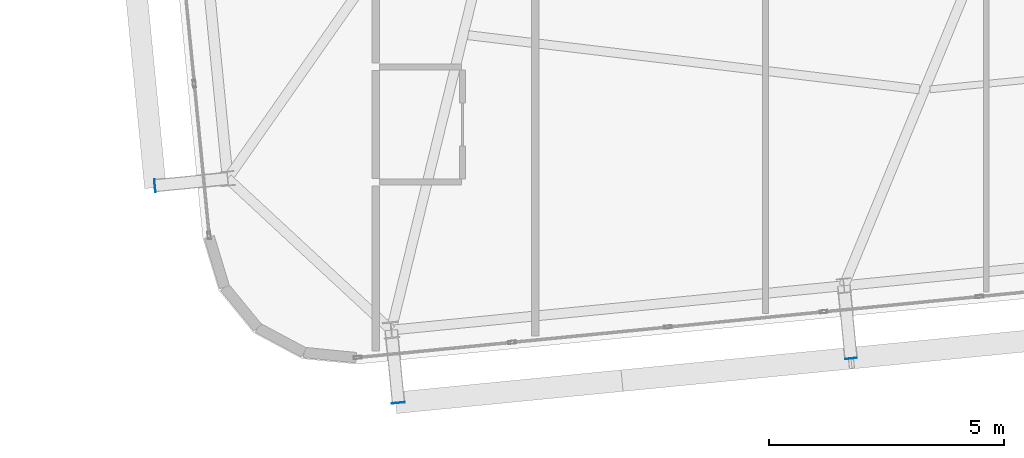
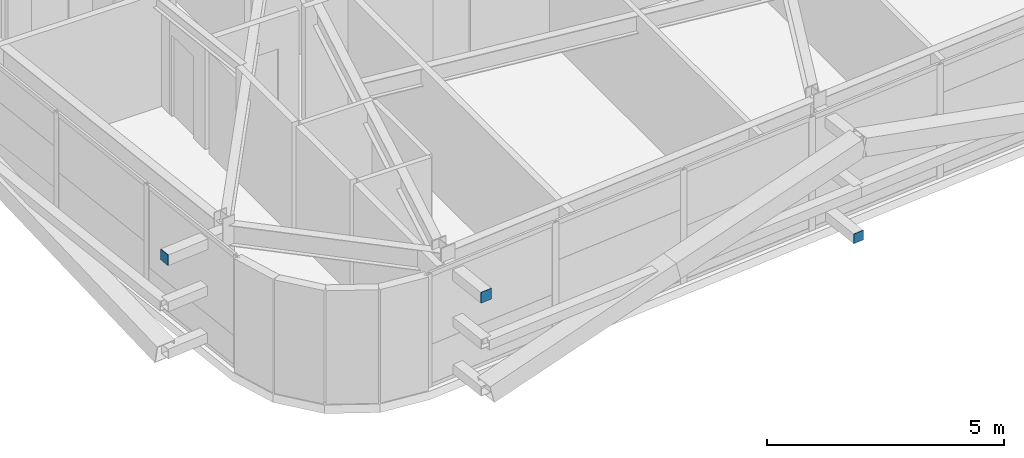
# One storey, part 38 of 53: 3 plates.
"""IFC4 building model written with IfcOpenShell, lengths in metres."""

from ifc_helpers import new_model, si_unit, direction, frame, origin, origin_2d, place, context, subcontext, project, spatial, rectangle, extrude, source, transform, mapped, material, layer, layer_set, type_object, element, save


model = new_model("IFC4")

# Units and contexts
model_context = context("Model", 3, precision=1e-05, world=origin(), true_north=direction((0.0, 1.0)))
body_context = subcontext(model_context, "Body", "Model", "MODEL_VIEW")
ifc_project = project(units=[si_unit("LENGTHUNIT", "METRE"), si_unit("AREAUNIT", "SQUARE_METRE"), si_unit("VOLUMEUNIT", "CUBIC_METRE"), si_unit("PLANEANGLEUNIT", "RADIAN"), si_unit("MASSUNIT", "GRAM", prefix="KILO")], contexts=[model_context])

# Site, building, storey
site_placement = place(None, origin())
site = spatial("IfcSite", under=ifc_project, at=site_placement, CompositionType="ELEMENT")
building_placement = place(site_placement, origin())
building = spatial("IfcBuilding", under=site, at=building_placement, Name="Taldren Reach Tower", CompositionType="ELEMENT")
storey_placement = place(building_placement, frame((0.0, 0.0, 68.25)))
storey = spatial("IfcBuildingStorey", under=building, at=storey_placement, Name="L20", CompositionType="ELEMENT", Elevation=68.25)

# Plates
ifc_material_1 = material(Name="Steel Gr 450 (C450L0)", Category="steel")
ifc_layer_1 = layer(ifc_material_1, 0.011962890625)
ifc_layer_set_1 = layer_set([ifc_layer_1], Name="Steel Gr 450 (C450L0)")
plate_type_1 = type_object("IfcPlateType", Name="PL-CAP-275", PredefinedType="SHEET", material=ifc_layer_set_1)
shared_shape_1 = source(origin(), body_context, "Body", "SweptSolid", [
    extrude(rectangle(XDim=0.27490234375, YDim=0.011962890625, at=origin_2d()), origin(), (0.0, 0.0, 1.0), 0.27490234375),
])
plate_1_placement = place(storey_placement, frame((15.0859375, -1.62841796875, 2.512451171875), z_axis=(0.0, 0.0, 1.0), x_axis=(0.995227399982, 0.097582899759, 0.0)))
element("IfcPlate", 1, at=plate_1_placement, inside=storey, type_object=plate_type_1, Name="Tie strut end cap plate B2-S1 L20", PredefinedType="SHEET", context=body_context, shape_type="MappedRepresentation", body=[
    mapped(shared_shape_1, transform((0.0, 0.0, 0.0), scale=1.0)),
])
shared_shape_2 = source(origin(), body_context, "Body", "SweptSolid", [
    extrude(rectangle(XDim=0.011962890625, YDim=0.27490234375, at=origin_2d()), origin(), (0.0, 0.0, 1.0), 0.27490234375),
])
plate_2_placement = place(storey_placement, frame((9.904296875, 2.993896484375, 2.512451171875), z_axis=(0.0, 0.0, 1.0), x_axis=(0.995227399982, 0.097582899759, 0.0)))
element("IfcPlate", 2, at=plate_2_placement, inside=storey, type_object=plate_type_1, Name="Tie strut end cap plate B2-W1 L20", PredefinedType="SHEET", context=body_context, shape_type="MappedRepresentation", body=[
    mapped(shared_shape_2, transform((0.0, 0.0, 0.0), scale=1.0)),
])
ifc_material_2 = material(Name="Steel Gr 350 (C350L0)", Category="steel")
ifc_layer_2 = layer(ifc_material_2, 0.011962890625)
ifc_layer_set_2 = layer_set([ifc_layer_2], Name="Steel Gr 350 (C350L0)")
plate_type_2 = type_object("IfcPlateType", Name="PL-CAP-250", PredefinedType="SHEET", material=ifc_layer_set_2)
shared_shape_3 = source(origin(), body_context, "Body", "SweptSolid", [
    extrude(rectangle(XDim=0.25, YDim=0.011962890625, at=origin_2d()), origin(), (0.0, 0.0, 1.0), 0.25),
])
plate_3_placement = place(storey_placement, frame((24.7197265625, -0.683837890625, 0.094970703125), z_axis=(0.0, 0.0, 1.0), x_axis=(0.995227399982, 0.097582899759, 0.0)))
element("IfcPlate", 3, at=plate_3_placement, inside=storey, type_object=plate_type_2, Name="Tie strut end cap plate B2-S2 L20", PredefinedType="SHEET", context=body_context, shape_type="MappedRepresentation", body=[
    mapped(shared_shape_3, transform((0.0, 0.0, 0.0), scale=1.0)),
])

save(model, "model.ifc")
